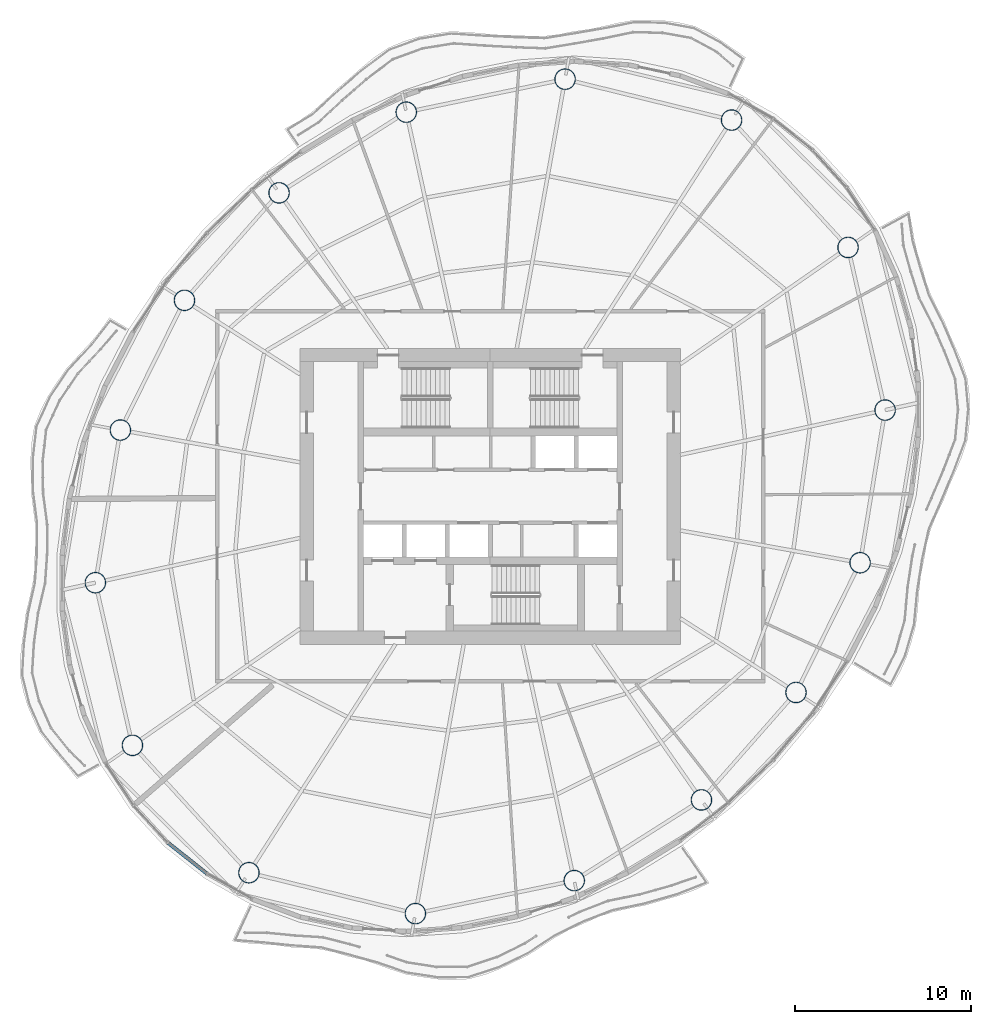
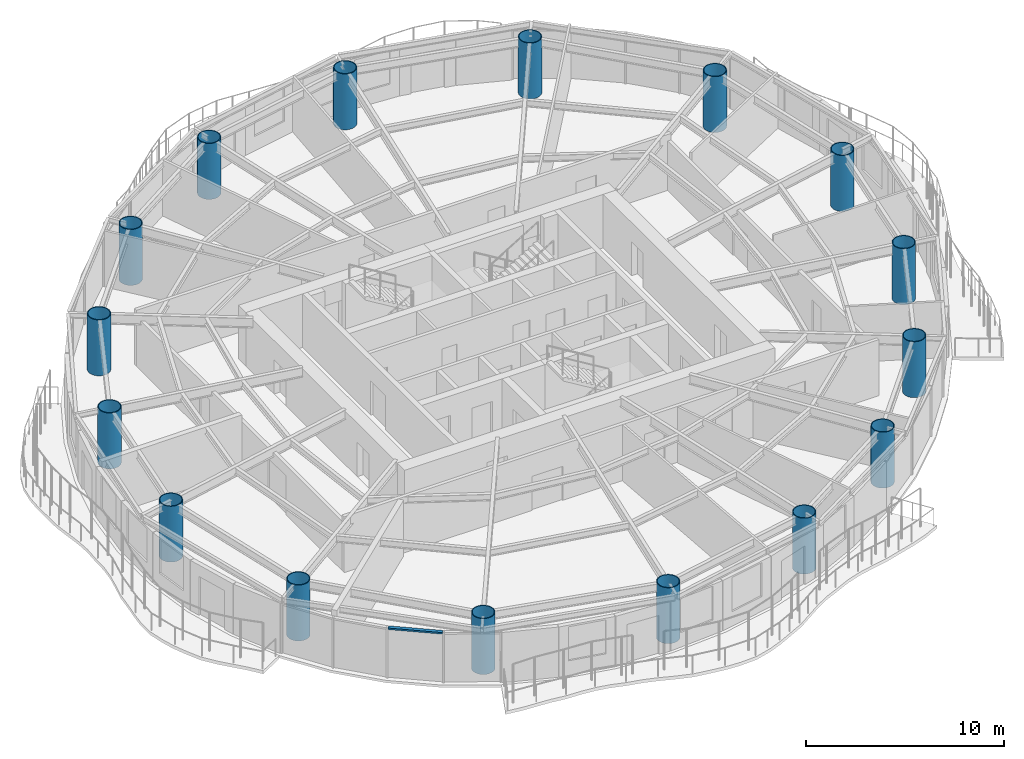
# One storey, part 1 of 15: 16 columns, 1 member, 1 element without a shape of its own.
"""IFC4 building model written with IfcOpenShell, lengths in metres."""

from ifc_helpers import new_model, si_unit, direction, frame, origin, origin_2d, place, context, subcontext, project, spatial, rectangle, hollow_circle, extrude, material, material_profile, profile_set, type_object, element, aggregate, save


model = new_model("IFC4")

# Units and contexts
model_context = context("Model", 3, precision=1e-05, world=origin(), true_north=direction((0.0, 1.0)))
body_context = subcontext(model_context, "Body", "Model", "MODEL_VIEW")
ifc_project = project(units=[si_unit("LENGTHUNIT", "METRE"), si_unit("AREAUNIT", "SQUARE_METRE"), si_unit("VOLUMEUNIT", "CUBIC_METRE"), si_unit("PLANEANGLEUNIT", "RADIAN"), si_unit("MASSUNIT", "GRAM", prefix="KILO")], contexts=[model_context])

# Site, building, storey
site_placement = place(None, origin())
site = spatial("IfcSite", under=ifc_project, at=site_placement, CompositionType="ELEMENT")
building_placement = place(site_placement, origin())
building = spatial("IfcBuilding", under=site, at=building_placement, Name="Vermilion Reach Broadcast Tower", CompositionType="ELEMENT")
storey_placement = place(building_placement, frame((0.0, 0.0, 220.89990234375)))
storey = spatial("IfcBuildingStorey", under=building, at=storey_placement, Name="L54", CompositionType="ELEMENT", Elevation=220.89990234375)

# Columns
ifc_material_1 = material(Name="Concrete C60 infill in steel S460NL tube", Category="concrete")
ifc_material_profile_1 = material_profile(ifc_material_1, hollow_circle(Radius=0.60009765625, WallThickness=0.044921875, at=origin_2d()), Name="Concrete C60 infill in steel S460NL tube CFT 1200x45")
ifc_profile_set_1 = profile_set([ifc_material_profile_1], Name="Concrete C60 infill in steel S460NL tube")
column_type = type_object("IfcColumnType", Name="MC4 CFT 1200x45", PredefinedType="COLUMN", material=ifc_profile_set_1)
for number, where, z_axis, x_axis, name in (
    (1, (7.70361328125, 21.3701171875, 0.0), (0.0, 0.0, 1.0), (1.0, 0.0, 0.0), "Mega-column MC4-01"),
    (2, (-1.75, 23.691162109375, 0.0), (0.0, 0.0, 1.0), (1.0, 0.0, 0.0), "Mega-column MC4-02"),
    (3, (-10.769287109375, 21.818603515625, 0.0), (0.0, 0.0, 1.0), (1.0, 0.0, 0.0), "Mega-column MC4-03"),
    (4, (-17.993408203125, 17.23681640625, 0.0), (0.0, 0.0, 1.0), (1.0, 0.0, 0.0), "Mega-column MC4-04"),
    (5, (-23.36279296875, 11.134033203125, 0.0), (0.0, 0.0, 1.0), (1.0, 0.0, 0.0), "Mega-column MC4-05"),
    (6, (-27.002685546875, 3.767578125, 0.0), (0.0, 0.0, 1.0), (1.0, 0.0, 0.0), "Mega-column MC4-06"),
    (7, (-28.423828125, -4.9013671875, 0.0), (0.0, 0.0, 1.0), (1.0, 0.0, 0.0), "Mega-column MC4-07"),
    (8, (-26.318115234375, -14.13720703125, 0.0), (0.0, 0.0, 1.0), (1.0, 0.0, 0.0), "Mega-column MC4-08"),
    (9, (-19.70361328125, -21.3701171875, 0.0), (0.0, 0.0, 1.0), (1.0, 0.0, 0.0), "Mega-column MC4-09"),
    (10, (-10.25, -23.691162109375, 0.0), (0.0, 0.0, 1.0), (1.0, 0.0, 0.0), "Mega-column MC4-10"),
    (11, (-1.230712890625, -21.818603515625, 0.0), (0.0, 0.0, 1.0), (1.0, 0.0, 0.0), "Mega-column MC4-11"),
    (12, (5.993408203125, -17.23681640625, 0.0), (0.0, 0.0, 1.0), (1.0, 0.0, 0.0), "Mega-column MC4-12"),
    (13, (11.36279296875, -11.134033203125, 0.0), (0.0, 0.0, 1.0), (1.0, 0.0, 0.0), "Mega-column MC4-13"),
    (14, (15.002685546875, -3.767578125, 0.0), (0.0, 0.0, 1.0), (1.0, 0.0, 0.0), "Mega-column MC4-14"),
    (15, (16.423828125, 4.9013671875, 0.0), (0.0, 0.0, 1.0), (1.0, 0.0, 0.0), "Mega-column MC4-15"),
    (16, (14.318115234375, 14.13720703125, 0.0), (0.0, 0.0, 1.0), (1.0, 0.0, 0.0), "Mega-column MC4-16"),
):
    element("IfcColumn", number, at=place(storey_placement, frame(where, z_axis=z_axis, x_axis=x_axis)), inside=storey, type_object=column_type, Name=name, PredefinedType="COLUMN", context=body_context, shape_type="SweptSolid", body=[
        extrude(hollow_circle(Radius=0.60009765625, WallThickness=0.044921875, at=origin_2d()), origin(), (0.0, 0.0, 1.0), 3.4501953125),
    ])

# Curtain wall, member
ifc_material_2 = material(Name="Low-e laminated clear glass in aluminium frame", Category="aluminium")
curtain_wall_type = type_object("IfcCurtainWallType", Name="Slot curtain wall", PredefinedType="NOTDEFINED", material=ifc_material_2)
curtain_wall_placement = place(storey_placement, origin())
curtain_wall = element("IfcCurtainWall", 17, at=curtain_wall_placement, inside=storey, type_object=curtain_wall_type, Name="Slot curtain wall L54 24", PredefinedType="NOTDEFINED")
ifc_material_3 = material(Name="Anodised aluminium", Category="aluminium")
ifc_material_profile_2 = material_profile(ifc_material_3, rectangle(XDim=0.199951171875, YDim=0.10009765625, at=origin_2d()), Name="Slot transom 200 x 100")
ifc_profile_set_2 = profile_set([ifc_material_profile_2], Name="Anodised aluminium")
member_type = type_object("IfcMemberType", Name="Slot transom 200 x 100", PredefinedType="USERDEFINED", material=ifc_profile_set_2)
member_placement = place(storey_placement, frame((-24.27685546875, -19.685546875, 3.050048828125), z_axis=(0.783825518404, -0.62098112427, 0.0), x_axis=(0.62098112427, 0.783825518404, 0.0)))
member = element("IfcMember", 18, at=member_placement, type_object=member_type, Name="Slot transom L54 24.1", ObjectType="TRANSOM", PredefinedType="USERDEFINED", context=body_context, shape_type="SweptSolid", body=[
    extrude(rectangle(XDim=0.199951171875, YDim=0.10009765625, at=origin_2d()), origin(), (0.0, 0.0, 1.0), 2.787109375),
])
aggregate(curtain_wall, [member])

save(model, "model.ifc")
